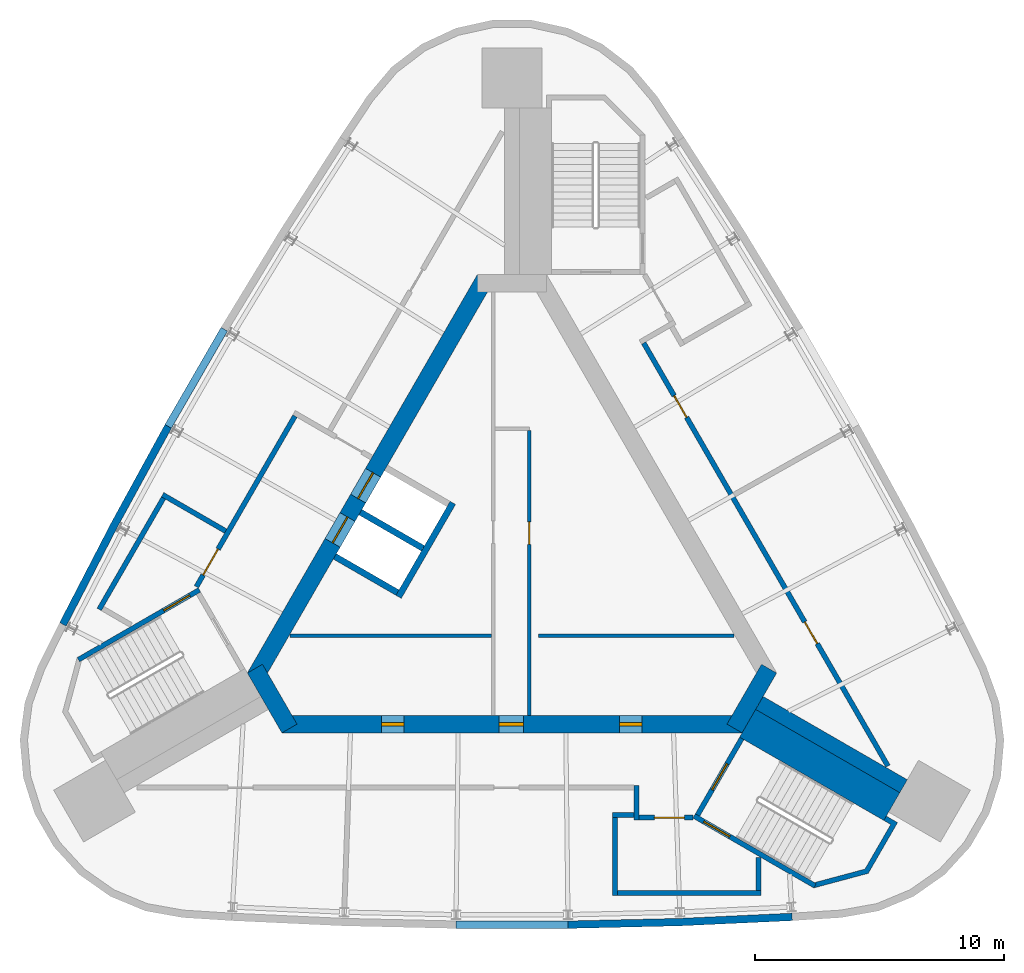
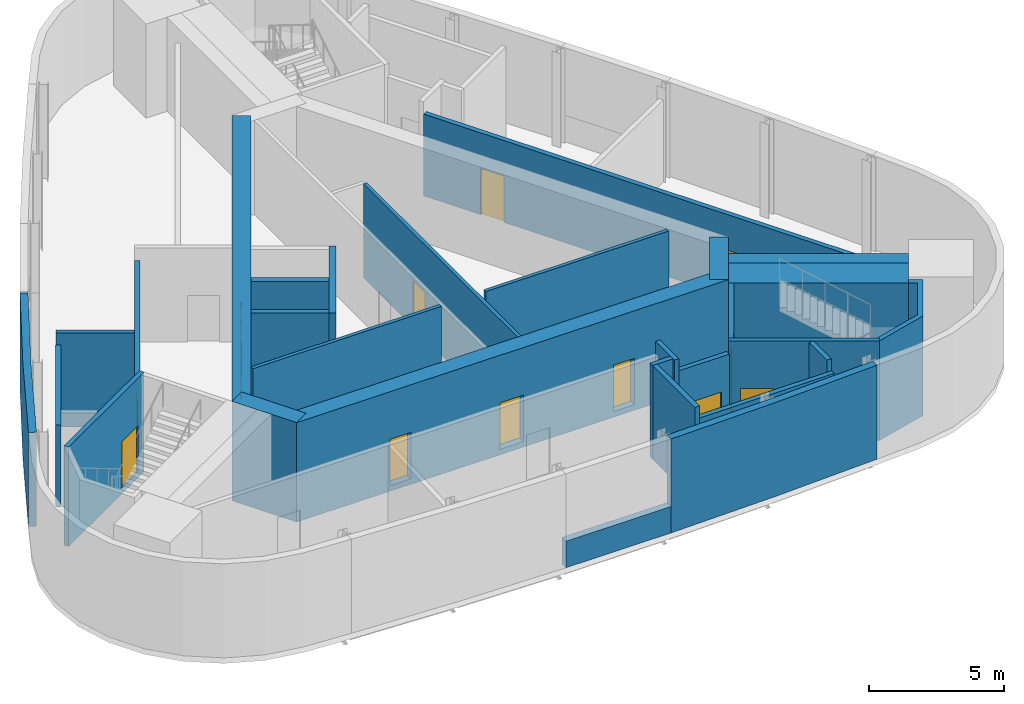
# One storey, part 4 of 7: 30 walls, 13 doors, 13 openings.
"""IFC4 building model written with IfcOpenShell, lengths in metres."""

from ifc_helpers import new_model, si_unit, direction, frame, frame_2d, origin, place, context, subcontext, project, spatial, polyline, rectangle, outline, extrude, material, layer, layer_set, type_object, element, fill, save


model = new_model("IFC4")

# Units and contexts
model_context = context("Model", 3, precision=1e-05, world=origin(), true_north=direction((0.0, 1.0)))
body_context = subcontext(model_context, "Body", "Model", "MODEL_VIEW")
ifc_project = project(units=[si_unit("LENGTHUNIT", "METRE"), si_unit("AREAUNIT", "SQUARE_METRE"), si_unit("VOLUMEUNIT", "CUBIC_METRE"), si_unit("PLANEANGLEUNIT", "RADIAN"), si_unit("MASSUNIT", "GRAM", prefix="KILO")], contexts=[model_context])

# Site, building, storey
site_placement = place(None, origin())
site = spatial("IfcSite", under=ifc_project, at=site_placement, CompositionType="ELEMENT")
building_placement = place(site_placement, origin())
building = spatial("IfcBuilding", under=site, at=building_placement, Name="Noor Cloister Tower", CompositionType="ELEMENT")
storey_placement = place(building_placement, frame((0.0, 0.0, 297.60009765625)))
storey = spatial("IfcBuildingStorey", under=building, at=storey_placement, Name="L75", CompositionType="ELEMENT", Elevation=297.60009765625)

# Walls
ifc_material_1 = material(Name="Concrete C50/60", Category="concrete")
ifc_layer_1 = layer(ifc_material_1, 0.60009765625)
ifc_layer_set_1 = layer_set([ifc_layer_1], Name="Buttress wall 600 C50/60")
wall_type_1 = type_object("IfcWallType", Name="Buttress wall 600 C50/60", PredefinedType="SHEAR", material=ifc_layer_set_1)
wall_1_placement = place(storey_placement, frame((9.921630859375, -5.728271484375, -0.25), z_axis=(0.0, 0.0, 1.0), x_axis=(0.866032176823, -0.499988268569, 0.0)))
element("IfcWall", 1, at=wall_1_placement, inside=storey, type_object=wall_type_1, Name="Buttress wall SE L75", PredefinedType="SHEAR", context=body_context, shape_type="SweptSolid", body=[
    extrude(rectangle(XDim=6.678466796875, YDim=0.60009765625, at=frame_2d((3.33935546875, 0.0))), origin(), (0.0, 0.0, 1.0), 4.5),
])
ifc_material_2 = material(Name="Concrete C30/37", Category="concrete")
ifc_layer_2 = layer(ifc_material_2, 0.14990234375)
ifc_layer_set_2 = layer_set([ifc_layer_2], Name="Core partition 150 C30/37")
wall_type_2 = type_object("IfcWallType", Name="Core partition 150 C30/37", PredefinedType="PARTITIONING", material=ifc_layer_set_2)
wall_2_placement = place(storey_placement, frame((-8.89501953125, -3.0283203125, 0.0), z_axis=(0.0, 0.0, 1.0), x_axis=(1.0, 0.0, 0.0)))
element("IfcWall", 2, at=wall_2_placement, inside=storey, type_object=wall_type_2, Name="Core room partition L75 1", PredefinedType="PARTITIONING", context=body_context, shape_type="SweptSolid", body=[
    extrude(rectangle(XDim=8.06640625, YDim=0.14990234375, at=frame_2d((4.033203125, 0.0))), origin(), (0.0, 0.0, 1.0), 4.25),
])

# Wall, opening, door
wall_3_placement = place(storey_placement, frame((0.6962890625, 5.19677734375, 0.0), z_axis=(0.0, 0.0, 1.0), x_axis=(0.0, -1.0, 0.0)))
wall_3 = element("IfcWall", 3, at=wall_3_placement, inside=storey, type_object=wall_type_2, Name="Core room partition L75 4", PredefinedType="PARTITIONING", context=body_context, shape_type="SweptSolid", body=[
    extrude(rectangle(XDim=11.425048828125, YDim=0.14990234375, at=frame_2d((5.71240234375, 0.0))), origin(), (0.0, 0.0, 1.0), 4.25),
])
opening_1_placement = place(wall_3_placement, frame((3.66357421875, 0.0, 0.0)))
opening_1 = element("IfcOpeningElement", 4, at=opening_1_placement, cuts=wall_3, Name="Opening L75-905", PredefinedType="OPENING", context=body_context, shape_type="SweptSolid", body=[
    extrude(rectangle(XDim=0.89990234375, YDim=2.10009765625, at=frame_2d((0.449951171875, 1.050048828125))), frame((0.0, 0.0849609375, 0.0), z_axis=(0.0, -1.0, 0.0), x_axis=(1.0, 0.0, 0.0)), (0.0, 0.0, 1.0), 0.169921875),
])
ifc_material_3 = material(Name="Steel", Category="steel")
door_type_1 = type_object("IfcDoorType", Name="Core door 900 x 2100 FD60", OperationType="SINGLE_SWING_LEFT", PredefinedType="DOOR", material=ifc_material_3)
door_1_placement = place(opening_1_placement, origin())
door_1 = element("IfcDoor", 5, at=door_1_placement, inside=storey, type_object=door_type_1, Name="Core door 5 L75", OperationType="SINGLE_SWING_LEFT", OverallHeight=2.10009765625, OverallWidth=0.89990234375, PredefinedType="DOOR", context=body_context, shape_type="SweptSolid", body=[
    extrude(rectangle(XDim=0.89990234375, YDim=2.10009765625, at=frame_2d((0.449951171875, 1.050048828125))), frame((0.0, 0.02490234375, 0.0), z_axis=(0.0, -1.0, 0.0), x_axis=(1.0, 0.0, 0.0)), (0.0, 0.0, 1.0), 0.050048828125),
])
fill(opening_1, door_1)

# Wall
wall_4_placement = place(storey_placement, frame((1.0712890625, -3.0283203125, 0.0), z_axis=(0.0, 0.0, 1.0), x_axis=(1.0, 0.0, 0.0)))
element("IfcWall", 6, at=wall_4_placement, inside=storey, type_object=wall_type_2, Name="Core room partition L75 5", PredefinedType="PARTITIONING", context=body_context, shape_type="SweptSolid", body=[
    extrude(rectangle(XDim=7.82373046875, YDim=0.14990234375, at=frame_2d((3.911865234375, 0.0))), origin(), (0.0, 0.0, 1.0), 4.25),
])

# Wall, openings, doors
ifc_material_4 = material(Name="Concrete C50/60", Category="concrete")
ifc_layer_3 = layer(ifc_material_4, 0.699951171875)
ifc_layer_set_3 = layer_set([ifc_layer_3], Name="Core wall 700 C50/60")
wall_type_3 = type_object("IfcWallType", Name="Core wall 700 C50/60", PredefinedType="SHEAR", material=ifc_layer_set_3)
wall_5_placement = place(storey_placement, frame((-9.228759765625, -6.578125, -0.25), z_axis=(0.0, 0.0, 1.0), x_axis=(1.0, 0.0, 0.0)))
wall_5 = element("IfcWall", 7, at=wall_5_placement, inside=storey, type_object=wall_type_3, Name="Core wall L75 1", PredefinedType="SHEAR", context=body_context, shape_type="SweptSolid", body=[
    extrude(rectangle(XDim=18.45751953125, YDim=0.699951171875, at=frame_2d((9.228759765625, 0.0))), origin(), (0.0, 0.0, 1.0), 4.5),
])
opening_2_placement = place(wall_5_placement, frame((8.699951171875, 0.0, 0.25)))
opening_2 = element("IfcOpeningElement", 8, at=opening_2_placement, cuts=wall_5, Name="Opening L75-901", PredefinedType="OPENING", context=body_context, shape_type="SweptSolid", body=[
    extrude(rectangle(XDim=1.0, YDim=2.10009765625, at=frame_2d((0.5, 1.050048828125))), frame((0.0, 0.35986328125, 0.0), z_axis=(0.0, -1.0, 0.0), x_axis=(1.0, 0.0, 0.0)), (0.0, 0.0, 1.0), 0.719970703125),
])
opening_3_placement = place(wall_5_placement, frame((3.989501953125, 0.0, 0.25)))
opening_3 = element("IfcOpeningElement", 9, at=opening_3_placement, cuts=wall_5, Name="Opening L75-902", PredefinedType="OPENING", context=body_context, shape_type="SweptSolid", body=[
    extrude(rectangle(XDim=0.89990234375, YDim=2.10009765625, at=frame_2d((0.449951171875, 1.050048828125))), frame((0.0, 0.35986328125, 0.0), z_axis=(0.0, -1.0, 0.0), x_axis=(1.0, 0.0, 0.0)), (0.0, 0.0, 1.0), 0.719970703125),
])
opening_4_placement = place(wall_5_placement, frame((13.539306640625, 0.0, 0.25)))
opening_4 = element("IfcOpeningElement", 10, at=opening_4_placement, cuts=wall_5, Name="Opening L75-903", PredefinedType="OPENING", context=body_context, shape_type="SweptSolid", body=[
    extrude(rectangle(XDim=0.89990234375, YDim=2.10009765625, at=frame_2d((0.449951171875, 1.050048828125))), frame((0.0, 0.35986328125, 0.0), z_axis=(0.0, -1.0, 0.0), x_axis=(1.0, 0.0, 0.0)), (0.0, 0.0, 1.0), 0.719970703125),
])
ifc_material_5 = material(Name="Steel", Category="steel")
door_type_2 = type_object("IfcDoorType", Name="Core door 1000 x 2100 FD120", OperationType="SINGLE_SWING_LEFT", PredefinedType="DOOR", material=ifc_material_5)
door_2_placement = place(opening_2_placement, origin())
door_2 = element("IfcDoor", 11, at=door_2_placement, inside=storey, type_object=door_type_2, Name="Core door 1 L75", OperationType="SINGLE_SWING_LEFT", OverallHeight=2.10009765625, OverallWidth=1.0, PredefinedType="DOOR", context=body_context, shape_type="SweptSolid", body=[
    extrude(rectangle(XDim=1.0, YDim=2.10009765625, at=frame_2d((0.5, 1.050048828125))), frame((0.0, 0.074951171875, 0.0), z_axis=(0.0, -1.0, 0.0), x_axis=(1.0, 0.0, 0.0)), (0.0, 0.0, 1.0), 0.14990234375),
])
fill(opening_2, door_2)
ifc_material_6 = material(Name="Steel", Category="steel")
door_type_3 = type_object("IfcDoorType", Name="Core door 900 x 2100 FD120", OperationType="SINGLE_SWING_LEFT", PredefinedType="DOOR", material=ifc_material_6)
door_3_placement = place(opening_3_placement, origin())
door_3 = element("IfcDoor", 12, at=door_3_placement, inside=storey, type_object=door_type_3, Name="Core door 2 L75", OperationType="SINGLE_SWING_RIGHT", OverallHeight=2.10009765625, OverallWidth=0.89990234375, PredefinedType="DOOR", context=body_context, shape_type="SweptSolid", body=[
    extrude(rectangle(XDim=0.89990234375, YDim=2.10009765625, at=frame_2d((0.449951171875, 1.050048828125))), frame((0.0, 0.074951171875, 0.0), z_axis=(0.0, -1.0, 0.0), x_axis=(1.0, 0.0, 0.0)), (0.0, 0.0, 1.0), 0.14990234375),
])
fill(opening_3, door_3)
door_4_placement = place(opening_4_placement, origin())
door_4 = element("IfcDoor", 13, at=door_4_placement, inside=storey, type_object=door_type_1, Name="Core door 3 L75", OperationType="SINGLE_SWING_LEFT", OverallHeight=2.10009765625, OverallWidth=0.89990234375, PredefinedType="DOOR", context=body_context, shape_type="SweptSolid", body=[
    extrude(rectangle(XDim=0.89990234375, YDim=2.10009765625, at=frame_2d((0.449951171875, 1.050048828125))), frame((0.0, 0.074951171875, 0.0), z_axis=(0.0, -1.0, 0.0), x_axis=(1.0, 0.0, 0.0)), (0.0, 0.0, 1.0), 0.14990234375),
])
fill(opening_4, door_4)

# Wall
wall_6_placement = place(storey_placement, frame((8.925537109375, -6.753173828125, -0.25), z_axis=(0.0, 0.0, 1.0), x_axis=(0.500042739161, 0.866000726912, 0.0)))
element("IfcWall", 14, at=wall_6_placement, inside=storey, type_object=wall_type_3, Name="Core wall L75 2", PredefinedType="SHEAR", context=body_context, shape_type="SweptSolid", body=[
    extrude(rectangle(XDim=2.771240234375, YDim=0.699951171875, at=frame_2d((1.3857421875, 0.0))), origin(), (0.0, 0.0, 1.0), 4.5),
])

# Wall, openings, doors
wall_7_placement = place(storey_placement, frame((-1.08251953125, 11.281494140625, -0.25), z_axis=(0.0, 0.0, 1.0), x_axis=(-0.500001446645, -0.866024568562, 0.0)))
wall_7 = element("IfcWall", 15, at=wall_7_placement, inside=storey, type_object=wall_type_3, Name="Core wall L75 5", PredefinedType="SHEAR", context=body_context, shape_type="SweptSolid", body=[
    extrude(rectangle(XDim=18.45751953125, YDim=0.699951171875, at=frame_2d((9.228759765625, 0.0))), origin(), (0.0, 0.0, 1.0), 4.5),
])
opening_5_placement = place(wall_7_placement, frame((8.978759765625, 0.0, 0.25)))
opening_5 = element("IfcOpeningElement", 16, at=opening_5_placement, cuts=wall_7, Name="Opening L75-FF1", PredefinedType="OPENING", context=body_context, shape_type="SweptSolid", body=[
    extrude(rectangle(XDim=1.199951171875, YDim=2.10009765625, at=frame_2d((0.60009765625, 1.050048828125))), frame((0.0, 0.35986328125, 0.0), z_axis=(0.0, -1.0, 0.0), x_axis=(1.0, 0.0, 0.0)), (0.0, 0.0, 1.0), 0.719970703125),
])
opening_6_placement = place(wall_7_placement, frame((11.02880859375, 0.0, 0.25)))
opening_6 = element("IfcOpeningElement", 17, at=opening_6_placement, cuts=wall_7, Name="Opening L75-FF2", PredefinedType="OPENING", context=body_context, shape_type="SweptSolid", body=[
    extrude(rectangle(XDim=1.199951171875, YDim=2.10009765625, at=frame_2d((0.60009765625, 1.050048828125))), frame((0.0, 0.35986328125, 0.0), z_axis=(0.0, -1.0, 0.0), x_axis=(1.0, 0.0, 0.0)), (0.0, 0.0, 1.0), 0.719970703125),
])
ifc_material_7 = material(Name="Stainless steel", Category="steel")
door_type_4 = type_object("IfcDoorType", Name="Lift landing door 1200 x 2100", OperationType="DOUBLE_DOOR_SLIDING", PredefinedType="DOOR", material=ifc_material_7)
door_5_placement = place(opening_5_placement, origin())
door_5 = element("IfcDoor", 18, at=door_5_placement, inside=storey, type_object=door_type_4, Name="Landing door FF1 L75", OperationType="DOUBLE_DOOR_SLIDING", OverallHeight=2.10009765625, OverallWidth=1.199951171875, PredefinedType="DOOR", context=body_context, shape_type="SweptSolid", body=[
    extrude(rectangle(XDim=1.199951171875, YDim=2.10009765625, at=frame_2d((0.60009765625, 1.050048828125))), frame((0.0, 0.02490234375, 0.0), z_axis=(0.0, -1.0, 0.0), x_axis=(1.0, 0.0, 0.0)), (0.0, 0.0, 1.0), 0.050048828125),
])
fill(opening_5, door_5)
door_6_placement = place(opening_6_placement, origin())
door_6 = element("IfcDoor", 19, at=door_6_placement, inside=storey, type_object=door_type_4, Name="Landing door FF2 L75", OperationType="DOUBLE_DOOR_SLIDING", OverallHeight=2.10009765625, OverallWidth=1.199951171875, PredefinedType="DOOR", context=body_context, shape_type="SweptSolid", body=[
    extrude(rectangle(XDim=1.199951171875, YDim=2.10009765625, at=frame_2d((0.60009765625, 1.050048828125))), frame((0.0, 0.02490234375, 0.0), z_axis=(0.0, -1.0, 0.0), x_axis=(1.0, 0.0, 0.0)), (0.0, 0.0, 1.0), 0.050048828125),
])
fill(opening_6, door_6)

# Walls
wall_8_placement = place(storey_placement, frame((-10.311279296875, -4.353271484375, -0.25), z_axis=(0.0, 0.0, 1.0), x_axis=(0.500042739161, -0.866000726912, 0.0)))
element("IfcWall", 20, at=wall_8_placement, inside=storey, type_object=wall_type_3, Name="Core wall L75 6", PredefinedType="SHEAR", context=body_context, shape_type="SweptSolid", body=[
    extrude(rectangle(XDim=2.771240234375, YDim=0.699951171875, at=frame_2d((1.3857421875, 0.0))), origin(), (0.0, 0.0, 1.0), 4.5),
])
ifc_material_8 = material(Name="Limestone", Category="masonry")
ifc_layer_4 = layer(ifc_material_8, 0.300048828125)
ifc_layer_set_4 = layer_set([ifc_layer_4], Name="Limestone panel wall 300")
wall_type_4 = type_object("IfcWallType", Name="Limestone panel wall 300", PredefinedType="NOTDEFINED", material=ifc_layer_set_4)
wall_9_placement = place(storey_placement, origin())
element("IfcWall", 21, at=wall_9_placement, inside=storey, type_object=wall_type_4, Name="Limestone crown wall L75 1b", PredefinedType="NOTDEFINED", context=body_context, shape_type="SweptSolid", body=[
    extrude(outline(polyline([(-13.919189453125, 5.438232421875), (-16.078125, 1.489990234375), (-18.14501953125, -2.507080078125), (-17.87841796875, -2.644775390625), (-15.813232421875, 1.34912109375), (-13.656005859375, 5.294189453125), (-13.919189453125, 5.438232421875)])), origin(), (0.0, 0.0, 1.0), 4.25),
])
wall_10_placement = place(storey_placement, origin())
element("IfcWall", 22, at=wall_10_placement, inside=storey, type_object=wall_type_4, Name="Limestone crown wall L75 1 lower", PredefinedType="NOTDEFINED", context=body_context, shape_type="SweptSolid", body=[
    extrude(outline(polyline([(-11.669189453125, 9.335205078125), (-13.919189453125, 5.438232421875), (-13.659423828125, 5.288330078125), (-11.409423828125, 9.185302734375), (-11.669189453125, 9.335205078125)])), origin(), (0.0, 0.0, 1.0), 1.199951171875),
])
wall_11_placement = place(storey_placement, origin())
element("IfcWall", 23, at=wall_11_placement, inside=storey, type_object=wall_type_4, Name="Limestone crown wall L75 2b", PredefinedType="NOTDEFINED", context=body_context, shape_type="SweptSolid", body=[
    extrude(outline(polyline([(2.25, -14.7734375), (6.74853515625, -14.669189453125), (11.24365234375, -14.46044921875), (11.229736328125, -14.160888671875), (6.73828125, -14.369384765625), (2.242919921875, -14.4736328125), (2.25, -14.7734375)])), origin(), (0.0, 0.0, 1.0), 4.25),
])
wall_12_placement = place(storey_placement, origin())
element("IfcWall", 24, at=wall_12_placement, inside=storey, type_object=wall_type_4, Name="Limestone crown wall L75 2 lower", PredefinedType="NOTDEFINED", context=body_context, shape_type="SweptSolid", body=[
    extrude(outline(polyline([(-2.25, -14.7734375), (2.25, -14.7734375), (2.25, -14.473388671875), (-2.25, -14.473388671875), (-2.25, -14.7734375)])), origin(), (0.0, 0.0, 1.0), 1.199951171875),
])
ifc_material_9 = material(Name="Concrete C50/60", Category="concrete")
ifc_layer_5 = layer(ifc_material_9, 0.25)
ifc_layer_set_5 = layer_set([ifc_layer_5], Name="Shaft wall 250 C50/60")
wall_type_5 = type_object("IfcWallType", Name="Shaft wall 250 C50/60", PredefinedType="PARTITIONING", material=ifc_layer_set_5)
for number, where, z_axis, x_axis, name in (
    (25, (-6.081298828125, 1.92333984375, -0.25), (0.0, 0.0, 1.0), (0.866032775405, -0.499987231761, 0.0), "Lift shaft wall L75 NW 4"),
    (26, (-7.106201171875, 0.14794921875, -0.25), (0.0, 0.0, 1.0), (0.866032775405, -0.499987231761, 0.0), "Lift shaft wall L75 NW 5"),
):
    element("IfcWall", number, at=place(storey_placement, frame(where, z_axis=z_axis, x_axis=x_axis)), inside=storey, type_object=wall_type_5, Name=name, PredefinedType="PARTITIONING", context=body_context, shape_type="SweptSolid", body=[
        extrude(rectangle(XDim=2.89990234375, YDim=0.25, at=frame_2d((1.449951171875, 0.0))), origin(), (0.0, 0.0, 1.0), 4.5),
    ])
wall_13_placement = place(storey_placement, frame((-2.3740234375, 2.29443359375, 0.0), z_axis=(0.0, 0.0, 1.0), x_axis=(-0.499996127374, -0.866027639635, 0.0)))
element("IfcWall", 27, at=wall_13_placement, inside=storey, type_object=wall_type_5, Name="Lift shaft back wall L75 NW", PredefinedType="PARTITIONING", context=body_context, shape_type="SweptSolid", body=[
    extrude(rectangle(XDim=4.35009765625, YDim=0.25, at=frame_2d((2.175048828125, 0.0))), origin(), (0.0, 0.0, 1.0), 4.25),
])
ifc_material_10 = material(Name="Concrete C50/60", Category="concrete")
ifc_layer_6 = layer(ifc_material_10, 1.285888671875)
ifc_layer_set_6 = layer_set([ifc_layer_6], Name="Stair enclosure wall 1286 C50/60")
wall_type_6 = type_object("IfcWallType", Name="Stair enclosure wall 1286 C50/60", PredefinedType="SHEAR", material=ifc_layer_set_6)
wall_14_placement = place(storey_placement, frame((9.4501953125, -6.544677734375, -0.25), z_axis=(0.0, 0.0, 1.0), x_axis=(0.866016347338, -0.500015685897, 0.0)))
element("IfcWall", 28, at=wall_14_placement, inside=storey, type_object=wall_type_6, Name="Stair enclosure wall ST3 L75 riser side", PredefinedType="SHEAR", context=body_context, shape_type="SweptSolid", body=[
    extrude(rectangle(XDim=6.678466796875, YDim=1.28564453125, at=frame_2d((3.33935546875, 0.0))), origin(), (0.0, 0.0, 1.0), 4.5),
])

# Wall, opening, door
ifc_material_11 = material(Name="Concrete C50/60", Category="concrete")
ifc_layer_7 = layer(ifc_material_11, 0.199951171875)
ifc_layer_set_7 = layer_set([ifc_layer_7], Name="Stair enclosure wall 200 C50/60")
wall_type_7 = type_object("IfcWallType", Name="Stair enclosure wall 200 C50/60", PredefinedType="SHEAR", material=ifc_layer_set_7)
wall_15_placement = place(storey_placement, frame((-12.539306640625, -1.194091796875, -0.25), z_axis=(0.0, 0.0, 1.0), x_axis=(-0.866045472092, -0.499965239061, 0.0)))
wall_15 = element("IfcWall", 29, at=wall_15_placement, inside=storey, type_object=wall_type_7, Name="Stair enclosure wall ST2 L75 outer side", PredefinedType="SHEAR", context=body_context, shape_type="SweptSolid", body=[
    extrude(rectangle(XDim=5.60009765625, YDim=0.199951171875, at=frame_2d((2.800048828125, 0.0))), origin(), (0.0, 0.0, 1.0), 4.5),
])
opening_7_placement = place(wall_15_placement, frame((0.449951171875, 0.0, 0.25)))
opening_7 = element("IfcOpeningElement", 30, at=opening_7_placement, cuts=wall_15, Name="Opening L75-ST2C", PredefinedType="OPENING", context=body_context, shape_type="SweptSolid", body=[
    extrude(rectangle(XDim=1.199951171875, YDim=2.10009765625, at=frame_2d((0.60009765625, 1.050048828125))), frame((0.0, 0.10986328125, 0.0), z_axis=(0.0, -1.0, 0.0), x_axis=(1.0, 0.0, 0.0)), (0.0, 0.0, 1.0), 0.219970703125),
])
ifc_material_12 = material(Name="Steel", Category="steel")
door_type_5 = type_object("IfcDoorType", Name="Stair door 1200 x 2100 FD120", OperationType="SINGLE_SWING_LEFT", PredefinedType="DOOR", material=ifc_material_12)
door_7_placement = place(opening_7_placement, origin())
door_7 = element("IfcDoor", 31, at=door_7_placement, inside=storey, type_object=door_type_5, Name="Stair door ST2 L75", OperationType="SINGLE_SWING_LEFT", OverallHeight=2.10009765625, OverallWidth=1.199951171875, PredefinedType="DOOR", context=body_context, shape_type="SweptSolid", body=[
    extrude(rectangle(XDim=1.199951171875, YDim=2.10009765625, at=frame_2d((0.60009765625, 1.050048828125))), frame((0.0, 0.02490234375, 0.0), z_axis=(0.0, -1.0, 0.0), x_axis=(1.0, 0.0, 0.0)), (0.0, 0.0, 1.0), 0.050048828125),
])
fill(opening_7, door_7)

wall_16_placement = place(storey_placement, frame((7.440185546875, -10.225830078125, -0.25), z_axis=(0.0, 0.0, 1.0), x_axis=(0.500022077904, 0.866012656725, 0.0)))
wall_16 = element("IfcWall", 32, at=wall_16_placement, inside=storey, type_object=wall_type_7, Name="Stair enclosure wall ST3 L75 near end", PredefinedType="SHEAR", context=body_context, shape_type="SweptSolid", body=[
    extrude(rectangle(XDim=3.550048828125, YDim=0.199951171875, at=frame_2d((1.77490234375, 0.0))), origin(), (0.0, 0.0, 1.0), 4.5),
])
opening_8_placement = place(wall_16_placement, frame((1.175048828125, 0.0, 0.25)))
opening_8 = element("IfcOpeningElement", 33, at=opening_8_placement, cuts=wall_16, Name="Opening L75-ST3L", PredefinedType="OPENING", context=body_context, shape_type="SweptSolid", body=[
    extrude(rectangle(XDim=1.199951171875, YDim=2.10009765625, at=frame_2d((0.60009765625, 1.050048828125))), frame((0.0, 0.10986328125, 0.0), z_axis=(0.0, -1.0, 0.0), x_axis=(1.0, 0.0, 0.0)), (0.0, 0.0, 1.0), 0.219970703125),
])
door_8_placement = place(opening_8_placement, origin())
door_8 = element("IfcDoor", 34, at=door_8_placement, inside=storey, type_object=door_type_5, Name="Stair door ST3 L75", OperationType="SINGLE_SWING_RIGHT", OverallHeight=2.10009765625, OverallWidth=1.199951171875, PredefinedType="DOOR", context=body_context, shape_type="SweptSolid", body=[
    extrude(rectangle(XDim=1.199951171875, YDim=2.10009765625, at=frame_2d((0.60009765625, 1.050048828125))), frame((0.0, 0.02490234375, 0.0), z_axis=(0.0, -1.0, 0.0), x_axis=(1.0, 0.0, 0.0)), (0.0, 0.0, 1.0), 0.050048828125),
])
fill(opening_8, door_8)

wall_17_placement = place(storey_placement, frame((7.3037109375, -10.262451171875, -0.25), z_axis=(0.0, 0.0, 1.0), x_axis=(0.866026594901, -0.49999793692, 0.0)))
wall_17 = element("IfcWall", 35, at=wall_17_placement, inside=storey, type_object=wall_type_7, Name="Stair enclosure wall ST3 L75 outer side", PredefinedType="SHEAR", context=body_context, shape_type="SweptSolid", body=[
    extrude(rectangle(XDim=5.60009765625, YDim=0.199951171875, at=frame_2d((2.800048828125, 0.0))), origin(), (0.0, 0.0, 1.0), 4.5),
])
opening_9_placement = place(wall_17_placement, frame((0.449951171875, 0.0, 0.25)))
opening_9 = element("IfcOpeningElement", 36, at=opening_9_placement, cuts=wall_17, Name="Opening L75-ST3C", PredefinedType="OPENING", context=body_context, shape_type="SweptSolid", body=[
    extrude(rectangle(XDim=1.199951171875, YDim=2.10009765625, at=frame_2d((0.60009765625, 1.050048828125))), frame((0.0, 0.10986328125, 0.0), z_axis=(0.0, -1.0, 0.0), x_axis=(1.0, 0.0, 0.0)), (0.0, 0.0, 1.0), 0.219970703125),
])
door_9_placement = place(opening_9_placement, origin())
door_9 = element("IfcDoor", 37, at=door_9_placement, inside=storey, type_object=door_type_5, Name="Stair door ST3 L75", OperationType="SINGLE_SWING_LEFT", OverallHeight=2.10009765625, OverallWidth=1.199951171875, PredefinedType="DOOR", context=body_context, shape_type="SweptSolid", body=[
    extrude(rectangle(XDim=1.199951171875, YDim=2.10009765625, at=frame_2d((0.60009765625, 1.050048828125))), frame((0.0, 0.02490234375, 0.0), z_axis=(0.0, -1.0, 0.0), x_axis=(1.0, 0.0, 0.0)), (0.0, 0.0, 1.0), 0.050048828125),
])
fill(opening_9, door_9)

# Walls
ifc_material_13 = material(Name="Concrete C50/60", Category="concrete")
wall_type_8 = type_object("IfcWallType", Name="Stair far end wall C50/60", PredefinedType="SHEAR", material=ifc_material_13)
wall_18_placement = place(storey_placement, frame((0.0, 0.0, -0.25)))
element("IfcWall", 38, at=wall_18_placement, inside=storey, type_object=wall_type_8, Name="Stair enclosure wall ST3 L75 far end", PredefinedType="SHEAR", context=body_context, shape_type="SweptSolid", body=[
    extrude(outline(polyline([(12.103515625, -13.14892578125), (14.2890625, -12.5634765625), (15.464111328125, -10.5283203125), (15.0126953125, -10.267578125), (14.91259765625, -10.440673828125), (15.19091796875, -10.601318359375), (14.1572265625, -12.3916015625), (12.131591796875, -12.934326171875), (12.20361328125, -12.975830078125), (12.20361328125, -12.975830078125), (12.20361328125, -12.975830078125), (12.20361328125, -12.975830078125), (12.20361328125, -12.975830078125), (12.20361328125, -12.975830078125), (12.20361328125, -12.975830078125), (12.20361328125, -12.975830078125), (12.20361328125, -12.975830078125), (12.20361328125, -12.975830078125), (12.20361328125, -12.975830078125), (12.20361328125, -12.975830078125), (12.20361328125, -12.975830078125), (12.20361328125, -12.975830078125), (12.20361328125, -12.975830078125), (12.20361328125, -12.975830078125), (12.20361328125, -12.975830078125), (12.103515625, -13.14892578125)])), origin(), (0.0, 0.0, 1.0), 4.5),
])
ifc_material_14 = material(Name="Concrete block wall, 200 mm", Category="concrete")
ifc_layer_8 = layer(ifc_material_14, 0.199951171875)
ifc_layer_set_8 = layer_set([ifc_layer_8], Name="Upper floor plant room wall 200")
wall_type_9 = type_object("IfcWallType", Name="Upper floor plant room wall 200", PredefinedType="PARTITIONING", material=ifc_layer_set_8)
wall_19_placement = place(storey_placement, frame((-14.012939453125, 2.62451171875, 0.0), z_axis=(0.0, 0.0, 1.0), x_axis=(0.866026830048, -0.499997529631, 0.0)))
element("IfcWall", 39, at=wall_19_placement, inside=storey, type_object=wall_type_9, Name="Upper floor plant room wall 200 L75 002", PredefinedType="PARTITIONING", context=body_context, shape_type="SweptSolid", body=[
    extrude(rectangle(XDim=2.91943359375, YDim=0.199951171875, at=frame_2d((1.459716796875, 0.0))), origin(), (0.0, 0.0, 1.0), 4.25),
])

# Wall, opening, door
wall_20_placement = place(storey_placement, frame((-12.657958984375, -1.06787109375, 0.0), z_axis=(0.0, 0.0, 1.0), x_axis=(0.499996073327, 0.866027670838, 0.0)))
wall_20 = element("IfcWall", 40, at=wall_20_placement, inside=storey, type_object=wall_type_9, Name="Upper floor plant room wall 200 L75 003", PredefinedType="PARTITIONING", context=body_context, shape_type="SweptSolid", body=[
    extrude(rectangle(XDim=7.90380859375, YDim=0.199951171875, at=frame_2d((3.951904296875, 0.0))), origin(), (0.0, 0.0, 1.0), 3.701904296875),
])
opening_10_placement = place(wall_20_placement, frame((0.54052734375, 0.0, 0.0)))
opening_10 = element("IfcOpeningElement", 41, at=opening_10_placement, cuts=wall_20, Name="Opening L75-003", PredefinedType="OPENING", context=body_context, shape_type="SweptSolid", body=[
    extrude(rectangle(XDim=1.199951171875, YDim=2.10009765625, at=frame_2d((0.60009765625, 1.050048828125))), frame((0.0, 0.10986328125, 0.0), z_axis=(0.0, -1.0, 0.0), x_axis=(1.0, 0.0, 0.0)), (0.0, 0.0, 1.0), 0.219970703125),
])
ifc_material_15 = material(Name="Timber door leaf with steel frame", Category="steel")
door_type_6 = type_object("IfcDoorType", Name="Protected lobby door 1200", OperationType="NOTDEFINED", PredefinedType="DOOR", material=ifc_material_15)
door_10_placement = place(opening_10_placement, origin())
door_10 = element("IfcDoor", 42, at=door_10_placement, inside=storey, type_object=door_type_6, Name="Protected lobby door 1200 L75-003", OperationType="SINGLE_SWING_LEFT", OverallHeight=2.10009765625, OverallWidth=1.199951171875, PredefinedType="DOOR", context=body_context, shape_type="SweptSolid", body=[
    extrude(rectangle(XDim=1.199951171875, YDim=2.10009765625, at=frame_2d((0.60009765625, 1.050048828125))), frame((0.0, 0.02490234375, 0.0), z_axis=(0.0, -1.0, 0.0), x_axis=(1.0, 0.0, 0.0)), (0.0, 0.0, 1.0), 0.050048828125),
])
fill(opening_10, door_10)

# Walls
wall_21_placement = place(storey_placement, frame((-13.97802734375, 2.489013671875, 0.0), z_axis=(0.0, 0.0, 1.0), x_axis=(-0.499983365876, -0.866035007288, 0.0)))
element("IfcWall", 43, at=wall_21_placement, inside=storey, type_object=wall_type_9, Name="Upper floor plant room wall 200 L75 005", PredefinedType="PARTITIONING", context=body_context, shape_type="SweptSolid", body=[
    extrude(rectangle(XDim=5.156982421875, YDim=0.199951171875, at=frame_2d((2.57861328125, 0.0))), origin(), (0.0, 0.0, 1.0), 3.701904296875),
])
wall_22_placement = place(storey_placement, frame((4.03564453125, -10.228271484375, 0.0), z_axis=(0.0, 0.0, 1.0), x_axis=(1.0, 0.0, 0.0)))
element("IfcWall", 44, at=wall_22_placement, inside=storey, type_object=wall_type_9, Name="Upper floor plant room wall 200 L75 007", PredefinedType="PARTITIONING", context=body_context, shape_type="SweptSolid", body=[
    extrude(rectangle(XDim=0.8642578125, YDim=0.199951171875, at=frame_2d((0.43212890625, 0.0))), origin(), (0.0, 0.0, 1.0), 4.25),
])
wall_23_placement = place(storey_placement, frame((5.0, -10.42822265625, 0.0), z_axis=(0.0, 0.0, 1.0), x_axis=(0.0, 1.0, 0.0)))
element("IfcWall", 45, at=wall_23_placement, inside=storey, type_object=wall_type_9, Name="Upper floor plant room wall 200 L75 008", PredefinedType="PARTITIONING", context=body_context, shape_type="SweptSolid", body=[
    extrude(rectangle(XDim=1.39794921875, YDim=0.199951171875, at=frame_2d((0.698974609375, 0.0))), origin(), (0.0, 0.0, 1.0), 4.25),
])

# Wall, opening, door
wall_24_placement = place(storey_placement, frame((5.10009765625, -10.328125, 0.0), z_axis=(0.0, 0.0, 1.0), x_axis=(1.0, 0.0, 0.0)))
wall_24 = element("IfcWall", 46, at=wall_24_placement, inside=storey, type_object=wall_type_9, Name="Upper floor plant room wall 200 L75 009", PredefinedType="PARTITIONING", context=body_context, shape_type="SweptSolid", body=[
    extrude(rectangle(XDim=2.153564453125, YDim=0.199951171875, at=frame_2d((1.07666015625, 0.0))), origin(), (0.0, 0.0, 1.0), 3.701904296875),
])
opening_11_placement = place(wall_24_placement, frame((0.61474609375, 0.0, 0.0)))
opening_11 = element("IfcOpeningElement", 47, at=opening_11_placement, cuts=wall_24, Name="Opening L75-006", PredefinedType="OPENING", context=body_context, shape_type="SweptSolid", body=[
    extrude(rectangle(XDim=1.199951171875, YDim=2.10009765625, at=frame_2d((0.60009765625, 1.050048828125))), frame((0.0, 0.10986328125, 0.0), z_axis=(0.0, -1.0, 0.0), x_axis=(1.0, 0.0, 0.0)), (0.0, 0.0, 1.0), 0.219970703125),
])
door_11_placement = place(opening_11_placement, origin())
door_11 = element("IfcDoor", 48, at=door_11_placement, inside=storey, type_object=door_type_6, Name="Protected lobby door 1200 L75-006", OperationType="SINGLE_SWING_RIGHT", OverallHeight=2.10009765625, OverallWidth=1.199951171875, PredefinedType="DOOR", context=body_context, shape_type="SweptSolid", body=[
    extrude(rectangle(XDim=1.199951171875, YDim=2.10009765625, at=frame_2d((0.60009765625, 1.050048828125))), frame((0.0, 0.02490234375, 0.0), z_axis=(0.0, -1.0, 0.0), x_axis=(1.0, 0.0, 0.0)), (0.0, 0.0, 1.0), 0.050048828125),
])
fill(opening_11, door_11)

# Walls
wall_25_placement = place(storey_placement, frame((4.133544921875, -10.328125, 0.0), z_axis=(0.0, 0.0, 1.0), x_axis=(0.0, -1.0, 0.0)))
element("IfcWall", 49, at=wall_25_placement, inside=storey, type_object=wall_type_9, Name="Upper floor plant room wall 200 L75 012", PredefinedType="PARTITIONING", context=body_context, shape_type="SweptSolid", body=[
    extrude(rectangle(XDim=3.11962890625, YDim=0.199951171875, at=frame_2d((1.559814453125, 0.0))), origin(), (0.0, 0.0, 1.0), 4.25),
])
wall_26_placement = place(storey_placement, frame((4.233642578125, -13.349853515625, 0.0), z_axis=(0.0, 0.0, 1.0), x_axis=(1.0, 0.0, 0.0)))
element("IfcWall", 50, at=wall_26_placement, inside=storey, type_object=wall_type_9, Name="Upper floor plant room wall 200 L75 013", PredefinedType="PARTITIONING", context=body_context, shape_type="SweptSolid", body=[
    extrude(rectangle(XDim=5.7568359375, YDim=0.199951171875, at=frame_2d((2.87841796875, 0.0))), origin(), (0.0, 0.0, 1.0), 3.701904296875),
])
wall_27_placement = place(storey_placement, frame((9.892578125, -13.249755859375, 0.0), z_axis=(0.0, 0.0, 1.0), x_axis=(0.0, 1.0, 0.0)))
element("IfcWall", 51, at=wall_27_placement, inside=storey, type_object=wall_type_9, Name="Upper floor plant room wall 200 L75 014", PredefinedType="PARTITIONING", context=body_context, shape_type="SweptSolid", body=[
    extrude(rectangle(XDim=1.319580078125, YDim=0.199951171875, at=frame_2d((0.65966796875, 0.0))), origin(), (0.0, 0.0, 1.0), 4.25),
])

# Wall, openings, doors
wall_28_placement = place(storey_placement, frame((5.281982421875, 8.70751953125, 0.0), z_axis=(0.0, 0.0, 1.0), x_axis=(0.500001848211, -0.866024336717, 0.0)))
wall_28 = element("IfcWall", 52, at=wall_28_placement, inside=storey, type_object=wall_type_9, Name="Upper floor plant room wall 200 L75 018", PredefinedType="PARTITIONING", context=body_context, shape_type="SweptSolid", body=[
    extrude(rectangle(XDim=19.5908203125, YDim=0.199951171875, at=frame_2d((9.79541015625, 0.0))), origin(), (0.0, 0.0, 1.0), 3.701904296875),
])
opening_12_placement = place(wall_28_placement, frame((12.923095703125, 0.0, 0.0)))
opening_12 = element("IfcOpeningElement", 53, at=opening_12_placement, cuts=wall_28, Name="Opening L75-007", PredefinedType="OPENING", context=body_context, shape_type="SweptSolid", body=[
    extrude(rectangle(XDim=1.0, YDim=2.10009765625, at=frame_2d((0.5, 1.050048828125))), frame((0.0, 0.10986328125, 0.0), z_axis=(0.0, -1.0, 0.0), x_axis=(1.0, 0.0, 0.0)), (0.0, 0.0, 1.0), 0.219970703125),
])
opening_13_placement = place(wall_28_placement, frame((2.4443359375, 0.0, 0.0)))
opening_13 = element("IfcOpeningElement", 54, at=opening_13_placement, cuts=wall_28, Name="Opening L75-008", PredefinedType="OPENING", context=body_context, shape_type="SweptSolid", body=[
    extrude(rectangle(XDim=1.0, YDim=2.10009765625, at=frame_2d((0.5, 1.050048828125))), frame((0.0, 0.10986328125, 0.0), z_axis=(0.0, -1.0, 0.0), x_axis=(1.0, 0.0, 0.0)), (0.0, 0.0, 1.0), 0.219970703125),
])
ifc_material_16 = material(Name="Timber door leaf with steel frame", Category="steel")
door_type_7 = type_object("IfcDoorType", Name="Plant room door 1000", OperationType="NOTDEFINED", PredefinedType="DOOR", material=ifc_material_16)
door_12_placement = place(opening_12_placement, origin())
door_12 = element("IfcDoor", 55, at=door_12_placement, inside=storey, type_object=door_type_7, Name="Plant room door 1000 L75-007", OperationType="SINGLE_SWING_RIGHT", OverallHeight=2.10009765625, OverallWidth=1.0, PredefinedType="DOOR", context=body_context, shape_type="SweptSolid", body=[
    extrude(rectangle(XDim=1.0, YDim=2.10009765625, at=frame_2d((0.5, 1.050048828125))), frame((0.0, 0.02490234375, 0.0), z_axis=(0.0, -1.0, 0.0), x_axis=(1.0, 0.0, 0.0)), (0.0, 0.0, 1.0), 0.050048828125),
])
fill(opening_12, door_12)
door_13_placement = place(opening_13_placement, origin())
door_13 = element("IfcDoor", 56, at=door_13_placement, inside=storey, type_object=door_type_7, Name="Plant room door 1000 L75-008", OperationType="SINGLE_SWING_LEFT", OverallHeight=2.10009765625, OverallWidth=1.0, PredefinedType="DOOR", context=body_context, shape_type="SweptSolid", body=[
    extrude(rectangle(XDim=1.0, YDim=2.10009765625, at=frame_2d((0.5, 1.050048828125))), frame((0.0, 0.02490234375, 0.0), z_axis=(0.0, -1.0, 0.0), x_axis=(1.0, 0.0, 0.0)), (0.0, 0.0, 1.0), 0.050048828125),
])
fill(opening_13, door_13)

save(model, "model.ifc")
